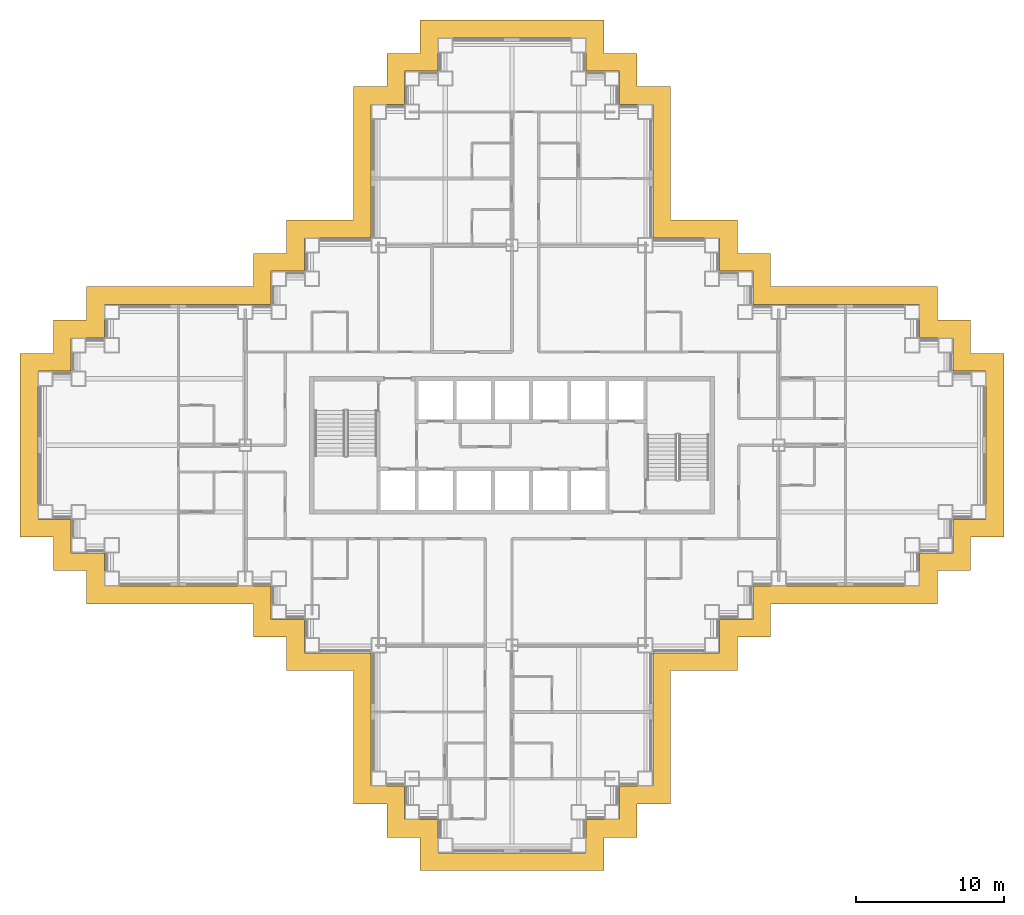
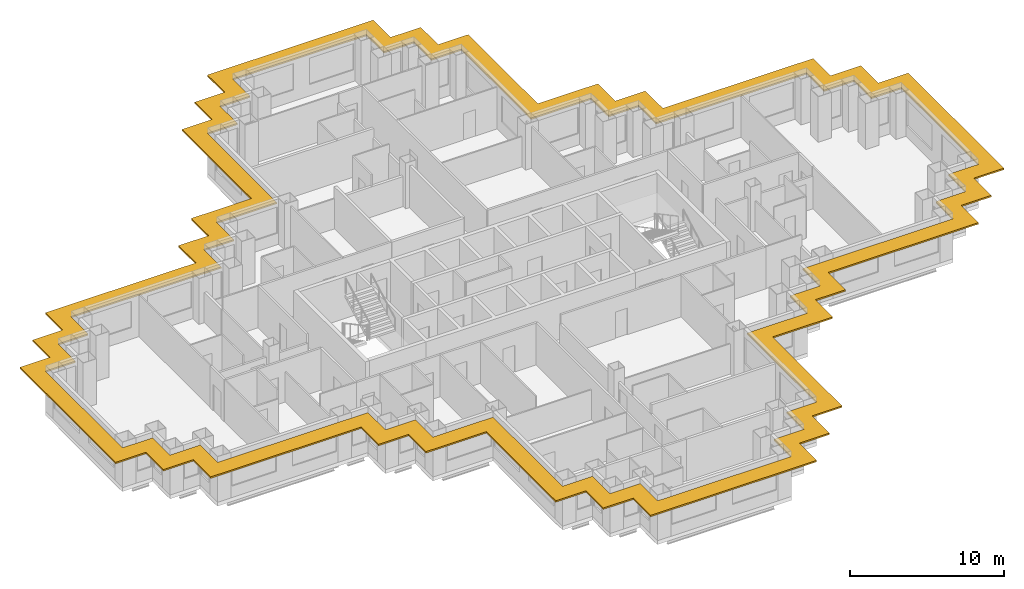
# One storey, part 13 of 14: 1 shading device.
"""IFC4 building model written with IfcOpenShell, lengths in metres."""

import ifcopenshell
import ifcopenshell.guid

model = None  # the IFC model being written
_history = None  # IfcOwnerHistory: only IFC2X3 demands one
_inside = {}  # id of a spatial element -> (the spatial element, [elements in it])
_under = {}  # id of a project, library or spatial element -> (it, [spatial elements below it])
_declared = {}  # id of a project -> (the project, [libraries it declares])
_typed = {}  # id of a type object -> (the type object, [elements of that type])
_made_of = {}  # id of a material, layer set ... -> (it, [elements and type objects made of it])


def new_model(schema):
    """Start an empty IFC model of exactly this schema.

    Asked for "IFC4X3", IfcOpenShell would pick the latest addendum, in which some entities
    have other attributes; the version numbers below select the first issue.
    IFC2X3 requires an IfcOwnerHistory on every rooted entity: one is made here for all.
    """
    global model, _history
    if schema == "IFC4X3":
        model = ifcopenshell.file(schema_version=(4, 3, 0, 0))
    else:
        model = ifcopenshell.file(schema=schema)
    _inside.clear()
    _under.clear()
    _declared.clear()
    _typed.clear()
    _made_of.clear()
    _history = None
    if model.schema == "IFC2X3":
        org = make("IfcOrganization", Name="unknown")
        user = make(
            "IfcPersonAndOrganization",
            ThePerson=make("IfcPerson", FamilyName="unknown"),
            TheOrganization=org,
        )
        app = make(
            "IfcApplication",
            ApplicationDeveloper=org,
            Version="unknown",
            ApplicationFullName="unknown",
            ApplicationIdentifier="unknown",
        )
        _history = make(
            "IfcOwnerHistory",
            OwningUser=user,
            OwningApplication=app,
            ChangeAction="ADDED",
            CreationDate=0,
        )
    return model


def make(cls, **values):
    """One entity of the class cls with the attributes given. An attribute that is None is left unset."""
    return model.create_entity(
        cls, **{name: value for name, value in values.items() if value is not None}
    )


def rooted(cls, **values):
    """An entity with a GlobalId (a new one), such as an element, a storey or a relation."""
    return make(cls, GlobalId=ifcopenshell.guid.new(), OwnerHistory=_history, **values)


def si_unit(unit_type, name, prefix=None):
    """IfcSIUnit, for example si_unit("LENGTHUNIT", "METRE", prefix="MILLI")."""
    return make("IfcSIUnit", UnitType=unit_type, Prefix=prefix, Name=name)


def assignment(units):
    """IfcUnitAssignment: the units of a project."""
    return None if units is None else make("IfcUnitAssignment", Units=units)


def point(xyz):
    """IfcCartesianPoint."""
    return None if xyz is None else make("IfcCartesianPoint", Coordinates=xyz)


def direction(xyz):
    """IfcDirection."""
    return None if xyz is None else make("IfcDirection", DirectionRatios=xyz)


def frame(location, z_axis=None, x_axis=None):
    """IfcAxis2Placement3D, a coordinate frame: its origin and axes. An axis left out is left unset."""
    return make(
        "IfcAxis2Placement3D",
        Location=point(location),
        Axis=direction(z_axis),
        RefDirection=direction(x_axis),
    )


def origin():
    """The frame at (0, 0, 0) with its axes left unset."""
    return frame((0.0, 0.0, 0.0))


def place(relative_to, where):
    """IfcLocalPlacement: puts the frame where relative to a parent placement (None: the world)."""
    return make(
        "IfcLocalPlacement", PlacementRelTo=relative_to, RelativePlacement=where
    )


def context(
    kind, dimensions, precision=None, world=None, true_north=None, identifier=None
):
    """IfcGeometricRepresentationContext, for example the 3D "Model" context."""
    return make(
        "IfcGeometricRepresentationContext",
        ContextIdentifier=identifier,
        ContextType=kind,
        CoordinateSpaceDimension=dimensions,
        Precision=precision,
        WorldCoordinateSystem=world,
        TrueNorth=true_north,
    )


def subcontext(parent, identifier, kind, view, scale=None):
    """IfcGeometricRepresentationSubContext, for example "Body" below "Model"."""
    return make(
        "IfcGeometricRepresentationSubContext",
        ContextIdentifier=identifier,
        ContextType=kind,
        ParentContext=parent,
        TargetScale=scale,
        TargetView=view,
    )


def project(units=None, contexts=None):
    """IfcProject with its units and contexts."""
    return rooted(
        "IfcProject",
        Name="project",
        RepresentationContexts=contexts,
        UnitsInContext=assignment(units),
    )


def spatial(cls, under=None, at=None, **own):
    """A site, building, storey or space (cls), placed at a placement, below another one or the project."""
    s = rooted(cls, ObjectPlacement=at, **own)
    if under is not None:
        _under.setdefault(under.id(), (under, []))[1].append(s)
    return s


def polyline(points):
    """IfcPolyline through the points."""
    return make("IfcPolyline", Points=[point(p) for p in points])


def outline(outer, holes=None, kind="AREA"):
    """IfcArbitraryClosedProfileDef: a profile drawn as a closed curve; with holes, ...WithVoids."""
    if holes is None:
        return make("IfcArbitraryClosedProfileDef", ProfileType=kind, OuterCurve=outer)
    return make(
        "IfcArbitraryProfileDefWithVoids",
        ProfileType=kind,
        OuterCurve=outer,
        InnerCurves=holes,
    )


def extrude(swept, where, along, depth):
    """IfcExtrudedAreaSolid: the profile swept, set in the frame where, extruded along a direction by depth."""
    return make(
        "IfcExtrudedAreaSolid",
        SweptArea=swept,
        Position=where,
        ExtrudedDirection=direction(along),
        Depth=depth,
    )


def shape(context_of_items, identifier, shape_type, items):
    """IfcShapeRepresentation: the items that make up one representation, for example the "Body"."""
    return make(
        "IfcShapeRepresentation",
        ContextOfItems=context_of_items,
        RepresentationIdentifier=identifier,
        RepresentationType=shape_type,
        Items=items,
    )


def material(Name=None, Category=None):
    """IfcMaterial."""
    return make("IfcMaterial", Name=Name, Category=Category)


def layer(
    of_material, thickness, ventilated=None, Name=None, Category=None, Priority=None
):
    """IfcMaterialLayer: one layer of a wall or slab, of a material (None: an air gap)."""
    return make(
        "IfcMaterialLayer",
        Material=of_material,
        LayerThickness=thickness,
        IsVentilated=ventilated,
        Name=Name,
        Category=Category,
        Priority=Priority,
    )


def layer_set(layers, Name=None):
    """IfcMaterialLayerSet."""
    return make("IfcMaterialLayerSet", MaterialLayers=layers, LayerSetName=Name)


def made_of(thing, what):
    """Note that an element or type object is made of a material, layer set ...; save() writes the relation."""
    if what is not None:
        _made_of.setdefault(what.id(), (what, []))[1].append(thing)
    return thing


def type_object(cls, material=None, **own):
    """A type object (cls), such as IfcWallType, which elements share."""
    return made_of(rooted(cls, **own), material)


def element(
    cls,
    number,
    at=None,
    inside=None,
    cuts=None,
    type_object=None,
    material=None,
    context=None,
    identifier="Body",
    shape_type=None,
    held_by="IfcProductDefinitionShape",
    body=None,
    shapes=None,
    **own,
):
    """One element of the class cls, such as IfcWall. Its Tag is "e" and its number.

    at: its placement. inside: the storey or other place that contains it. cuts: it is an
    opening in that element (IfcRelVoidsElement). A single representation is given by context,
    identifier, shape_type and body (its items); several are given by shapes. held_by: the class
    of the entity that holds the representations. save() writes the other relations.
    """
    e = rooted(cls, Tag="e%d" % number, ObjectPlacement=at, **own)
    if body is not None:
        shapes = [shape(context, identifier, shape_type, body)]
    if shapes is not None:
        e.Representation = make(held_by, Representations=shapes)
    if inside is not None:
        _inside.setdefault(inside.id(), (inside, []))[1].append(e)
    if cuts is not None:
        rooted(
            "IfcRelVoidsElement", RelatingBuildingElement=cuts, RelatedOpeningElement=e
        )
    if type_object is not None:
        _typed.setdefault(type_object.id(), (type_object, []))[1].append(e)
    return made_of(e, material)


def aggregate(whole, parts):
    """IfcRelAggregates: a whole, such as a stair, and the parts it consists of."""
    return rooted("IfcRelAggregates", RelatingObject=whole, RelatedObjects=parts)


def save(model, path):
    """Write the relations noted so far, then the file.

    IfcRelAggregates (storeys below a building ...), IfcRelContainedInSpatialStructure (elements
    in a storey), IfcRelDefinesByType, IfcRelAssociatesMaterial and IfcRelDeclares: one each for
    every whole, place, type object, material and project.
    """
    for whole, parts in _under.values():
        aggregate(whole, parts)
    for where, things in _inside.values():
        rooted(
            "IfcRelContainedInSpatialStructure",
            RelatedElements=things,
            RelatingStructure=where,
        )
    for kind, things in _typed.values():
        rooted("IfcRelDefinesByType", RelatedObjects=things, RelatingType=kind)
    for what, things in _made_of.values():
        rooted("IfcRelAssociatesMaterial", RelatedObjects=things, RelatingMaterial=what)
    for by, libraries in _declared.values():
        rooted("IfcRelDeclares", RelatingContext=by, RelatedDefinitions=libraries)
    model.write(path)


model = new_model("IFC4")

# Units and contexts
model_context = context("Model", 3, precision=1e-05, world=origin(), true_north=direction((0.0, 1.0)))
body_context = subcontext(model_context, "Body", "Model", "MODEL_VIEW")
ifc_project = project(units=[si_unit("LENGTHUNIT", "METRE"), si_unit("AREAUNIT", "SQUARE_METRE"), si_unit("VOLUMEUNIT", "CUBIC_METRE"), si_unit("PLANEANGLEUNIT", "RADIAN"), si_unit("MASSUNIT", "GRAM", prefix="KILO")], contexts=[model_context])

# Site, building, storey
site_placement = place(None, origin())
site = spatial("IfcSite", under=ifc_project, at=site_placement, CompositionType="ELEMENT")
building_placement = place(site_placement, origin())
building = spatial("IfcBuilding", under=site, at=building_placement, Name="Caravel Reach Hotel and Residences", CompositionType="ELEMENT")
storey_placement = place(building_placement, frame((0.0, 0.0, 67.199951171875)))
storey = spatial("IfcBuildingStorey", under=building, at=storey_placement, Name="L15", CompositionType="ELEMENT", Elevation=67.199951171875)

# Shading device
ifc_material = material(Name="Black powder-coated aluminium", Category="aluminium")
ifc_layer = layer(ifc_material, 0.1201171875)
ifc_layer_set = layer_set([ifc_layer], Name="SS1 Sunshade band 1200")
shading_device_type = type_object("IfcShadingDeviceType", Name="SS1 Sunshade band 1200", PredefinedType="USERDEFINED", material=ifc_layer_set)
shading_device_placement = place(storey_placement, frame((0.0, 0.0, 3.0400390625)))
element("IfcShadingDevice", 1, at=shading_device_placement, inside=storey, type_object=shading_device_type, Name="Sunshade L15 1", ObjectType="SUNSHADE", PredefinedType="USERDEFINED", context=body_context, shape_type="SweptSolid", body=[
    extrude(outline(polyline([(20.800048828125, 11.800048828125), (20.800048828125, 2.800048828125), (23.050048828125, 2.800048828125), (23.050048828125, 0.550048828125), (25.300048828125, 0.550048828125), (25.300048828125, -1.699951171875), (37.699951171875, -1.699951171875), (37.699951171875, 0.550048828125), (39.949951171875, 0.550048828125), (39.949951171875, 2.800048828125), (42.199951171875, 2.800048828125), (42.199951171875, 11.800048828125), (46.699951171875, 11.800048828125), (46.699951171875, 14.050048828125), (48.949951171875, 14.050048828125), (48.949951171875, 16.300048828125), (60.199951171875, 16.300048828125), (60.199951171875, 18.550048828125), (62.449951171875, 18.550048828125), (62.449951171875, 20.800048828125), (64.699951171875, 20.800048828125), (64.699951171875, 33.199951171875), (62.449951171875, 33.199951171875), (62.449951171875, 35.449951171875), (60.199951171875, 35.449951171875), (60.199951171875, 37.699951171875), (48.949951171875, 37.699951171875), (48.949951171875, 39.949951171875), (46.699951171875, 39.949951171875), (46.699951171875, 42.199951171875), (42.199951171875, 42.199951171875), (42.199951171875, 51.199951171875), (39.949951171875, 51.199951171875), (39.949951171875, 53.449951171875), (37.699951171875, 53.449951171875), (37.699951171875, 55.699951171875), (25.300048828125, 55.699951171875), (25.300048828125, 53.449951171875), (23.050048828125, 53.449951171875), (23.050048828125, 51.199951171875), (20.800048828125, 51.199951171875), (20.800048828125, 42.199951171875), (16.300048828125, 42.199951171875), (16.300048828125, 39.949951171875), (14.050048828125, 39.949951171875), (14.050048828125, 37.699951171875), (2.800048828125, 37.699951171875), (2.800048828125, 35.449951171875), (0.550048828125, 35.449951171875), (0.550048828125, 33.199951171875), (-1.699951171875, 33.199951171875), (-1.699951171875, 20.800048828125), (0.550048828125, 20.800048828125), (0.550048828125, 18.550048828125), (2.800048828125, 18.550048828125), (2.800048828125, 16.300048828125), (14.050048828125, 16.300048828125), (14.050048828125, 14.050048828125), (16.300048828125, 14.050048828125), (16.300048828125, 11.800048828125), (20.800048828125, 11.800048828125)]), holes=[polyline([(24.25, 4.0), (22.0, 4.0), (22.0, 13.0), (17.5, 13.0), (17.5, 15.25), (15.25, 15.25), (15.25, 17.5), (4.0, 17.5), (4.0, 19.75), (1.75, 19.75), (1.75, 22.0), (-0.5, 22.0), (-0.5, 32.0), (1.75, 32.0), (1.75, 34.25), (4.0, 34.25), (4.0, 36.5), (15.25, 36.5), (15.25, 38.75), (17.5, 38.75), (17.5, 41.0), (22.0, 41.0), (22.0, 50.0), (24.25, 50.0), (24.25, 52.25), (26.5, 52.25), (26.5, 54.5), (36.5, 54.5), (36.5, 52.25), (38.75, 52.25), (38.75, 50.0), (41.0, 50.0), (41.0, 41.0), (45.5, 41.0), (45.5, 38.75), (47.75, 38.75), (47.75, 36.5), (59.0, 36.5), (59.0, 34.25), (61.25, 34.25), (61.25, 32.0), (63.5, 32.0), (63.5, 22.0), (61.25, 22.0), (61.25, 19.75), (59.0, 19.75), (59.0, 17.5), (47.75, 17.5), (47.75, 15.25), (45.5, 15.25), (45.5, 13.0), (41.0, 13.0), (41.0, 4.0), (38.75, 4.0), (38.75, 1.75), (36.5, 1.75), (36.5, -0.5), (26.5, -0.5), (26.5, 1.75), (24.25, 1.75), (24.25, 4.0)])]), origin(), (0.0, 0.0, 1.0), 0.1201171875),
])

save(model, "model.ifc")
